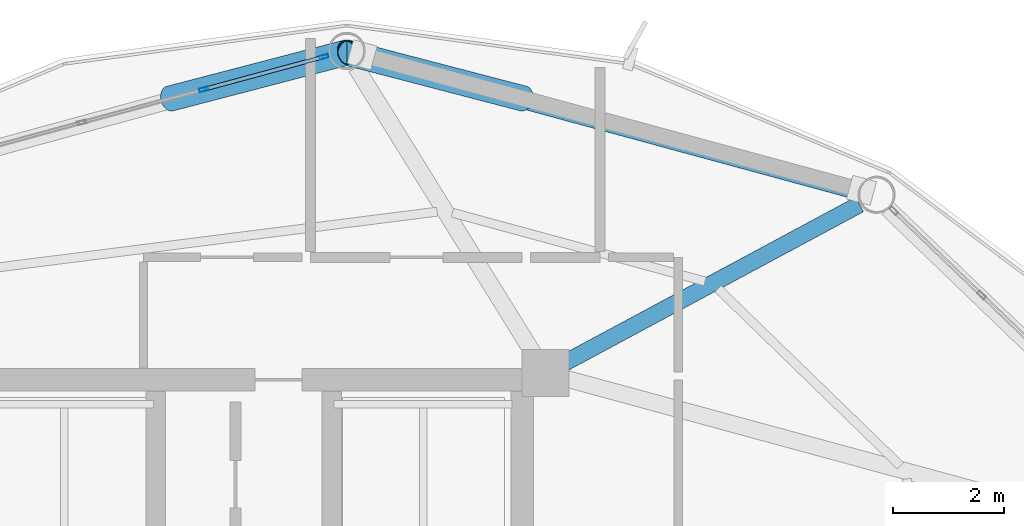
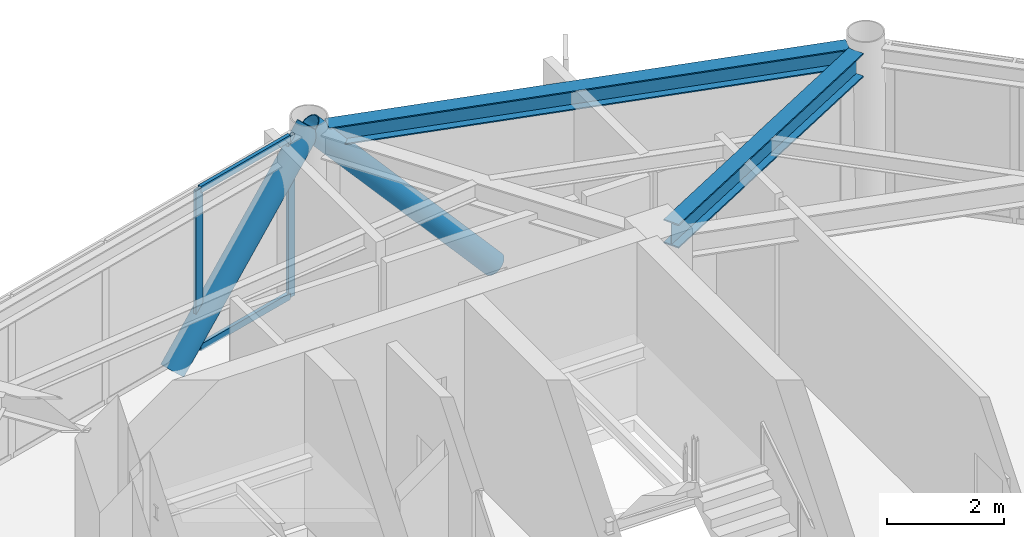
# One storey, part 20 of 28: 6 members, 2 beams, 1 element without a shape of its own.
"""IFC4 building model written with IfcOpenShell, lengths in metres."""

from ifc_helpers import new_model, si_unit, direction, frame, origin, origin_2d, place, context, subcontext, project, spatial, hollow_rectangle, hollow_circle, i_section, extrude, material, layer, layer_set, material_profile, profile_set, type_object, element, aggregate, save


model = new_model("IFC4")

# Units and contexts
model_context = context("Model", 3, precision=1e-05, world=origin(), true_north=direction((0.0, 1.0)))
body_context = subcontext(model_context, "Body", "Model", "MODEL_VIEW")
ifc_project = project(units=[si_unit("LENGTHUNIT", "METRE"), si_unit("AREAUNIT", "SQUARE_METRE"), si_unit("VOLUMEUNIT", "CUBIC_METRE"), si_unit("PLANEANGLEUNIT", "RADIAN"), si_unit("MASSUNIT", "GRAM", prefix="KILO")], contexts=[model_context])

# Site, building, storey
site_placement = place(None, origin())
site = spatial("IfcSite", under=ifc_project, at=site_placement, CompositionType="ELEMENT")
building_placement = place(site_placement, origin())
building = spatial("IfcBuilding", under=site, at=building_placement, Name="Varnakorn Sky Granary", CompositionType="ELEMENT")
storey_placement = place(building_placement, frame((0.0, 0.0, 211.199951171875)))
storey = spatial("IfcBuildingStorey", under=building, at=storey_placement, Name="L53", CompositionType="ELEMENT", Elevation=211.199951171875)

# Beams
ifc_material_1 = material(Name="Steel S355JR", Category="steel")
ifc_material_profile_1 = material_profile(ifc_material_1, i_section(OverallWidth=0.300048828125, OverallDepth=0.5, WebThickness=0.014404296875, FlangeThickness=0.028076171875, at=origin_2d()), Name="HE 500 B")
ifc_profile_set_1 = profile_set([ifc_material_profile_1], Name="Steel S355JR")
beam_type_1 = type_object("IfcBeamType", Name="BM-RAD-Z4", PredefinedType="BEAM", material=ifc_profile_set_1)
beam_1_placement = place(storey_placement, frame((8.77685546875, 12.811767578125, 3.110107421875), z_axis=(0.880911423703, 0.473281167584, 0.0), x_axis=(-0.473281167584, 0.880911423703, 0.0)))
element("IfcBeam", 1, at=beam_1_placement, inside=storey, type_object=beam_type_1, Name="Radial Floor Girder RG03 L53", PredefinedType="BEAM", context=body_context, shape_type="SweptSolid", body=[
    extrude(i_section(OverallWidth=0.300048828125, OverallDepth=0.5, WebThickness=0.014404296875, FlangeThickness=0.028076171875, at=origin_2d()), origin(), (0.0, 0.0, 1.0), 5.99462890625),
])
ifc_material_profile_2 = material_profile(ifc_material_1, i_section(OverallWidth=0.300048828125, OverallDepth=0.39990234375, WebThickness=0.013427734375, FlangeThickness=0.02392578125, at=origin_2d()), Name="HE 400 B")
ifc_profile_set_2 = profile_set([ifc_material_profile_2], Name="Steel S355JR")
beam_type_2 = type_object("IfcBeamType", Name="BM-SPD-Z4", PredefinedType="SPANDREL", material=ifc_profile_set_2)
beam_2_placement = place(storey_placement, frame((14.031005859375, 15.880615234375, 3.16015625), z_axis=(-0.964961366881, 0.262391997644, 0.0), x_axis=(-0.262391997644, -0.964961366881, 0.0)))
element("IfcBeam", 2, at=beam_2_placement, inside=storey, type_object=beam_type_2, Name="Perimeter Spandrel Ring Beam RB03 L53", PredefinedType="SPANDREL", context=body_context, shape_type="SweptSolid", body=[
    extrude(i_section(OverallWidth=0.300048828125, OverallDepth=0.39990234375, WebThickness=0.013427734375, FlangeThickness=0.02392578125, at=origin_2d()), origin(), (0.0, 0.0, 1.0), 9.19921875),
])

# Curtain wall, members
ifc_material_2 = material(Name="Anodised Bronze Aluminium Alloy 6063-T6", Category="aluminium")
ifc_layer = layer(ifc_material_2, 0.169921875, Name="Anodised Bronze Aluminium Alloy 6063-T6")
ifc_layer_set = layer_set([ifc_layer], Name="Anodised Bronze Aluminium Alloy 6063-T6")
curtain_wall_type = type_object("IfcCurtainWallType", Name="CW-LAB-1", PredefinedType="USERDEFINED", material=ifc_layer_set)
curtain_wall_placement = place(storey_placement, origin())
curtain_wall = element("IfcCurtainWall", 3, at=curtain_wall_placement, inside=storey, type_object=curtain_wall_type, Name="Unitised Curtain Wall CW5 CW-L53-B04", ObjectType="CURTAIN WALL", PredefinedType="USERDEFINED")
ifc_material_profile_3 = material_profile(ifc_material_2, hollow_rectangle(XDim=0.06494140625, YDim=0.159912109375, WallThickness=0.00341796875, at=origin_2d()), Name="ALU MULL 65x160")
ifc_profile_set_3 = profile_set([ifc_material_profile_3], Name="Anodised Bronze Aluminium Alloy 6063-T6")
member_type_1 = type_object("IfcMemberType", Name="CW-LAB-1-MULL", PredefinedType="MULLION", material=ifc_profile_set_3)
member_1_placement = place(storey_placement, frame((2.281982421875, 17.714111328125, 0.0), z_axis=(0.0, 0.0, 1.0), x_axis=(-0.261920163163, 0.965089544099, 0.0)))
member_1 = element("IfcMember", 4, at=member_1_placement, type_object=member_type_1, Name="CW5 mullion 4", PredefinedType="MULLION", context=body_context, shape_type="SweptSolid", body=[
    extrude(hollow_rectangle(XDim=0.06494140625, YDim=0.159912109375, WallThickness=0.00341796875, at=origin_2d()), origin(), (0.0, 0.0, 1.0), 3.360107421875),
])
member_2_placement = place(storey_placement, frame((4.442138671875, 18.30029296875, 0.0), z_axis=(0.0, 0.0, 1.0), x_axis=(-0.261920163163, 0.965089544099, 0.0)))
member_2 = element("IfcMember", 5, at=member_2_placement, type_object=member_type_1, Name="CW5 mullion 5", PredefinedType="MULLION", context=body_context, shape_type="SweptSolid", body=[
    extrude(hollow_rectangle(XDim=0.06494140625, YDim=0.159912109375, WallThickness=0.00341796875, at=origin_2d()), origin(), (0.0, 0.0, 1.0), 3.360107421875),
])
ifc_material_profile_4 = material_profile(ifc_material_2, hollow_rectangle(XDim=0.070068359375, YDim=0.139892578125, WallThickness=0.00341796875, at=origin_2d()), Name="ALU TRAN 70x140")
ifc_profile_set_4 = profile_set([ifc_material_profile_4], Name="Anodised Bronze Aluminium Alloy 6063-T6")
member_type_2 = type_object("IfcMemberType", Name="CW-LAB-1-TRAN", PredefinedType="USERDEFINED", material=ifc_profile_set_4)
member_3_placement = place(storey_placement, frame((2.3134765625, 17.72265625, 0.03515625), z_axis=(0.96510520748, 0.261862441932, 0.0), x_axis=(-0.261862441932, 0.96510520748, 0.0)))
member_3 = element("IfcMember", 6, at=member_3_placement, type_object=member_type_2, Name="CW5 transom 4.1", ObjectType="TRANSOM", PredefinedType="USERDEFINED", context=body_context, shape_type="SweptSolid", body=[
    extrude(hollow_rectangle(XDim=0.070068359375, YDim=0.139892578125, WallThickness=0.00341796875, at=origin_2d()), origin(), (0.0, 0.0, 1.0), 2.17333984375),
])
member_4_placement = place(storey_placement, frame((2.3134765625, 17.72265625, 3.324951171875), z_axis=(0.96510520748, 0.261862441932, 0.0), x_axis=(-0.261862441932, 0.96510520748, 0.0)))
member_4 = element("IfcMember", 7, at=member_4_placement, type_object=member_type_2, Name="CW5 transom 4.2", ObjectType="TRANSOM", PredefinedType="USERDEFINED", context=body_context, shape_type="SweptSolid", body=[
    extrude(hollow_rectangle(XDim=0.070068359375, YDim=0.139892578125, WallThickness=0.00341796875, at=origin_2d()), origin(), (0.0, 0.0, 1.0), 2.17333984375),
])
aggregate(curtain_wall, [member_1, member_2, member_3, member_4])

# Members
ifc_material_3 = material(Name="Steel S460M", Category="steel")
ifc_material_profile_5 = material_profile(ifc_material_3, hollow_circle(Radius=0.228515625, WallThickness=0.01611328125, at=origin_2d()), Name="CHS 457x16")
ifc_profile_set_5 = profile_set([ifc_material_profile_5], Name="Steel S460M")
member_type_3 = type_object("IfcMemberType", Name="MB-DIAG-T3", PredefinedType="BRACE", material=ifc_profile_set_5)
member_5_placement = place(storey_placement, frame((8.02294921875, 17.5498046875, -0.1298828125), z_axis=(-0.662577106574, 0.172730935447, 0.728804227337), x_axis=(-0.25226427969, -0.967658376284, 0.0)))
element("IfcMember", 8, at=member_5_placement, inside=storey, type_object=member_type_3, Name="Perimeter CHS Diagrid Brace DG03 L53", PredefinedType="BRACE", context=body_context, shape_type="SweptSolid", body=[
    extrude(hollow_circle(Radius=0.228515625, WallThickness=0.01611328125, at=origin_2d()), origin(), (0.0, 0.0, 1.0), 4.78857421875),
])
member_6_placement = place(storey_placement, frame((1.677001953125, 17.5498046875, -0.1298828125), z_axis=(0.662605706246, 0.17272510062, 0.728779608432), x_axis=(-0.252246105295, 0.967663114086, 0.0)))
element("IfcMember", 9, at=member_6_placement, inside=storey, type_object=member_type_3, Name="Perimeter CHS Diagrid Brace DG04 L53", PredefinedType="BRACE", context=body_context, shape_type="SweptSolid", body=[
    extrude(hollow_circle(Radius=0.228515625, WallThickness=0.01611328125, at=origin_2d()), origin(), (0.0, 0.0, 1.0), 4.788818359375),
])

save(model, "model.ifc")
